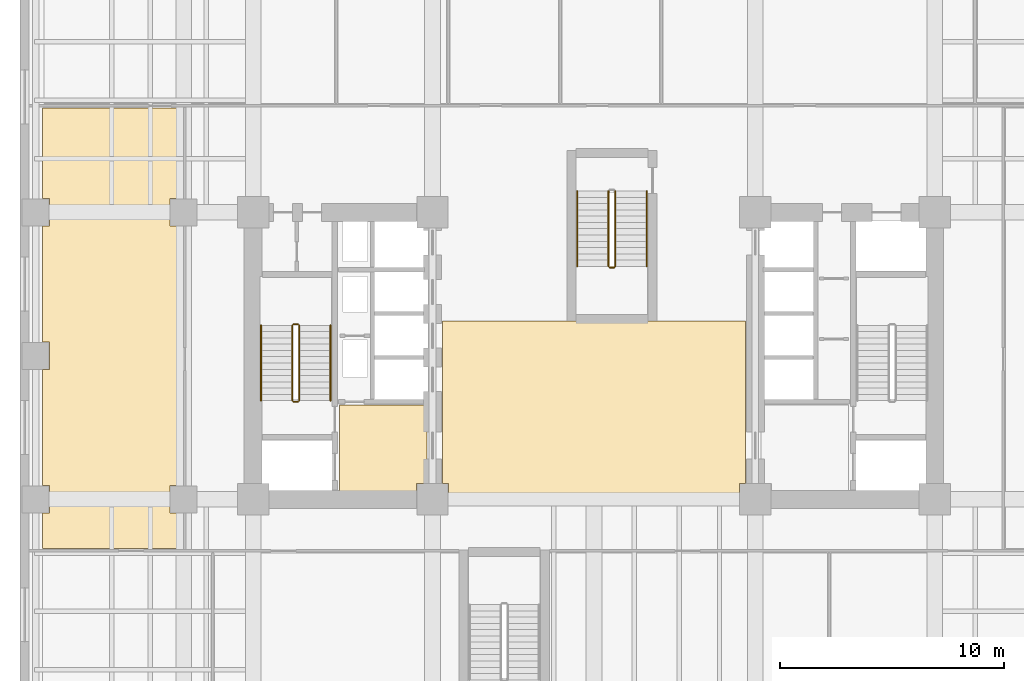
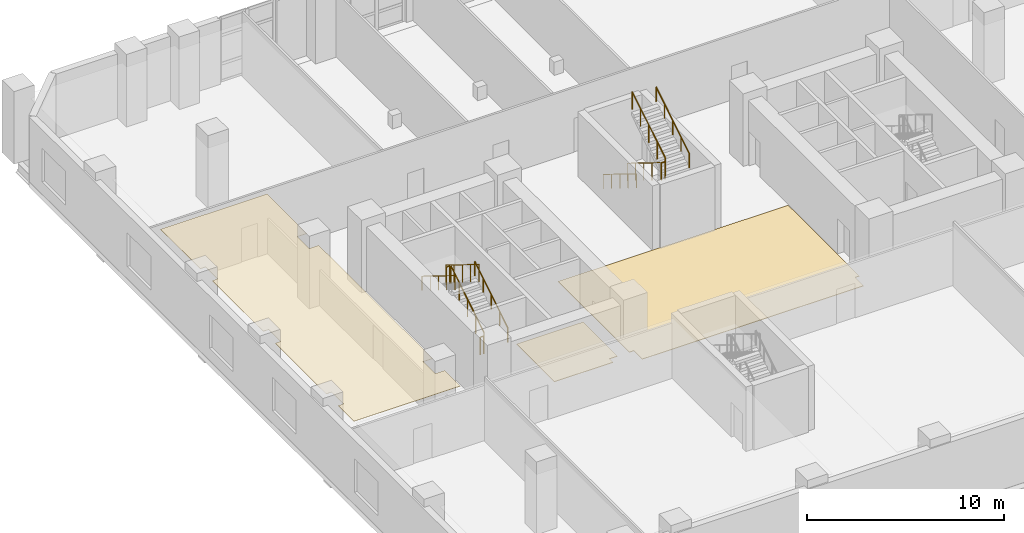
# One storey, part 11 of 15: 11 railings, 3 coverings.
"""IFC4 building model written with IfcOpenShell, lengths in metres."""

from ifc_helpers import new_model, si_unit, direction, frame, origin, origin_2d, place, context, subcontext, project, spatial, polyline, circle, outline, extrude, material, layer, layer_set, type_object, element, save


model = new_model("IFC4")

# Units and contexts
model_context = context("Model", 3, precision=1e-05, world=origin(), true_north=direction((0.0, 1.0)))
body_context = subcontext(model_context, "Body", "Model", "MODEL_VIEW")
ifc_project = project(units=[si_unit("LENGTHUNIT", "METRE"), si_unit("AREAUNIT", "SQUARE_METRE"), si_unit("VOLUMEUNIT", "CUBIC_METRE"), si_unit("PLANEANGLEUNIT", "RADIAN"), si_unit("MASSUNIT", "GRAM", prefix="KILO")], contexts=[model_context])

# Site, building, storey
site_placement = place(None, origin())
site = spatial("IfcSite", under=ifc_project, at=site_placement, CompositionType="ELEMENT")
building_placement = place(site_placement, origin())
building = spatial("IfcBuilding", under=site, at=building_placement, Name="Kranthara Brick Stack", CompositionType="ELEMENT")
storey_placement = place(building_placement, frame((0.0, 0.0, 14.39990234375)))
storey = spatial("IfcBuildingStorey", under=building, at=storey_placement, Name="L03", CompositionType="ELEMENT", Elevation=14.39990234375)

# Coverings
ifc_material_1 = material(Name="Perforated mineral-fibre acoustic ceiling tile", Category="other")
ifc_layer_1 = layer(ifc_material_1, 0.02490234375)
ifc_layer_set_1 = layer_set([ifc_layer_1], Name="Perforated mineral-fibre acoustic ceiling tile")
covering_type_1 = type_object("IfcCoveringType", Name="COV-CEIL-ACOUSTIC", PredefinedType="CEILING", material=ifc_layer_set_1)
covering_1_placement = place(storey_placement, frame((0.0, 0.0, 3.72998046875)))
element("IfcCovering", 1, at=covering_1_placement, inside=storey, type_object=covering_type_1, Name="L03 West Perimeter Office Studio Acoustic Ceiling", PredefinedType="CEILING", context=body_context, shape_type="SweptSolid", body=[
    extrude(outline(polyline([(3.39990234375, 20.18994140625), (3.7099609375, 20.18994140625), (3.7099609375, 21.409912109375), (3.39990234375, 21.409912109375), (3.39990234375, 26.590087890625), (3.7099609375, 26.590087890625), (3.7099609375, 27.81005859375), (3.39990234375, 27.81005859375), (3.39990234375, 32.989990234375), (3.7099609375, 32.989990234375), (3.7099609375, 34.2099609375), (3.39990234375, 34.2099609375), (3.39990234375, 38.25), (9.64990234375, 38.25), (9.64990234375, 34.2099609375), (9.090087890625, 34.2099609375), (9.090087890625, 32.989990234375), (9.64990234375, 32.989990234375), (9.64990234375, 21.409912109375), (9.090087890625, 21.409912109375), (9.090087890625, 20.18994140625), (9.64990234375, 20.18994140625), (9.64990234375, 18.60009765625), (3.39990234375, 18.60009765625), (3.39990234375, 20.18994140625)])), origin(), (0.0, 0.0, 1.0), 0.025146484375),
])
ifc_material_2 = material(Name="Honed terrazzo and porcelain floor finish", Category="stone")
ifc_layer_2 = layer(ifc_material_2, 0.030029296875)
ifc_layer_set_2 = layer_set([ifc_layer_2], Name="Honed terrazzo and porcelain floor finish")
covering_type_2 = type_object("IfcCoveringType", Name="COV-FLOR-STONE", PredefinedType="FLOORING", material=ifc_layer_set_2)
covering_2_placement = place(storey_placement, origin())
element("IfcCovering", 2, at=covering_2_placement, inside=storey, type_object=covering_type_2, Name="L03 Lift Lobby Stone Flooring", PredefinedType="FLOORING", context=body_context, shape_type="SweptSolid", body=[
    extrude(outline(polyline([(16.64990234375, 21.14990234375), (16.64990234375, 25.0), (20.550048828125, 25.0), (20.550048828125, 21.510009765625), (20.090087890625, 21.510009765625), (20.090087890625, 21.14990234375), (16.64990234375, 21.14990234375)])), origin(), (0.0, 0.0, 1.0), 0.030029296875),
])
covering_3_placement = place(storey_placement, origin())
element("IfcCovering", 3, at=covering_3_placement, inside=storey, type_object=covering_type_2, Name="L03 Lift Lobby Stone Flooring", PredefinedType="FLOORING", context=body_context, shape_type="SweptSolid", body=[
    extrude(outline(polyline([(34.75, 21.510009765625), (34.489990234375, 21.510009765625), (34.489990234375, 20.64990234375), (21.510009765625, 20.64990234375), (21.510009765625, 21.510009765625), (21.25, 21.510009765625), (21.25, 28.75), (34.75, 28.75), (34.75, 21.510009765625)])), origin(), (0.0, 0.0, 1.0), 0.030029296875),
])

# Railings
ifc_material_3 = material(Name="Painted galvanized steel stair guardrail", Category="steel")
railing_type_1 = type_object("IfcRailingType", Name="RL-STAIR-GUARD-1100", PredefinedType="GUARDRAIL", material=ifc_material_3)
railing_1_placement = place(storey_placement, frame((14.85009765625, 25.199951171875, 0.173095703125)))
element("IfcRailing", 4, at=railing_1_placement, inside=storey, type_object=railing_type_1, Name="L03 ST01 stair guard 1", PredefinedType="GUARDRAIL", context=body_context, shape_type="SweptSolid", body=[
    extrude(circle(Radius=0.02392578125, at=origin_2d()), frame((0.0, 0.0, 1.076171875), z_axis=(0.0, 0.850623216509, 0.525775754039), x_axis=(-1.0, 0.0, 0.0)), (0.0, 0.0, 1.0), 3.9501953125),
    extrude(circle(Radius=0.02099609375, at=origin_2d()), origin(), (0.0, 0.0, 1.0), 1.052001953125),
    extrude(circle(Radius=0.02099609375, at=origin_2d()), frame((0.0, 0.840087890625, 0.519287109375)), (0.0, 0.0, 1.0), 1.052001953125),
    extrude(circle(Radius=0.02099609375, at=origin_2d()), frame((0.0, 1.68017578125, 1.03857421875)), (0.0, 0.0, 1.0), 1.052001953125),
    extrude(circle(Radius=0.02099609375, at=origin_2d()), frame((0.0, 2.52001953125, 1.5576171875)), (0.0, 0.0, 1.0), 1.052001953125),
    extrude(circle(Radius=0.02099609375, at=origin_2d()), frame((0.0, 3.360107421875, 2.076904296875)), (0.0, 0.0, 1.0), 1.052001953125),
])
railing_2_placement = place(storey_placement, frame((14.800048828125, 28.610107421875, 2.25)))
element("IfcRailing", 5, at=railing_2_placement, inside=storey, type_object=railing_type_1, Name="L03 ST01 stair guard 2", PredefinedType="GUARDRAIL", context=body_context, shape_type="SweptSolid", body=[
    extrude(circle(Radius=0.02392578125, at=origin_2d()), frame((0.0, 0.0, 1.076171875), z_axis=(-1.0, 0.0, 0.0), x_axis=(0.0, -1.0, 0.0)), (0.0, 0.0, 1.0), 0.199951171875),
    extrude(circle(Radius=0.02099609375, at=origin_2d()), origin(), (0.0, 0.0, 1.0), 1.052001953125),
    extrude(circle(Radius=0.02099609375, at=origin_2d()), frame((-0.199951171875, 0.0, 0.0)), (0.0, 0.0, 1.0), 1.052001953125),
])
railing_3_placement = place(storey_placement, frame((14.550048828125, 28.56005859375, 2.423095703125)))
element("IfcRailing", 6, at=railing_3_placement, inside=storey, type_object=railing_type_1, Name="L03 ST01 stair guard 3", PredefinedType="GUARDRAIL", context=body_context, shape_type="SweptSolid", body=[
    extrude(circle(Radius=0.02392578125, at=origin_2d()), frame((0.0, 0.0, 1.076171875), z_axis=(0.0, -0.850623216509, 0.525775754039), x_axis=(1.0, 0.0, 0.0)), (0.0, 0.0, 1.0), 3.9501953125),
    extrude(circle(Radius=0.02099609375, at=origin_2d()), origin(), (0.0, 0.0, 1.0), 1.052001953125),
    extrude(circle(Radius=0.02099609375, at=origin_2d()), frame((0.0, -0.840087890625, 0.519287109375)), (0.0, 0.0, 1.0), 1.052001953125),
    extrude(circle(Radius=0.02099609375, at=origin_2d()), frame((0.0, -1.68017578125, 1.03857421875)), (0.0, 0.0, 1.0), 1.052001953125),
    extrude(circle(Radius=0.02099609375, at=origin_2d()), frame((0.0, -2.52001953125, 1.5576171875)), (0.0, 0.0, 1.0), 1.052001953125),
    extrude(circle(Radius=0.02099609375, at=origin_2d()), frame((0.0, -3.360107421875, 2.076904296875)), (0.0, 0.0, 1.0), 1.052001953125),
])
railing_4_placement = place(storey_placement, frame((14.800048828125, 25.14990234375, 0.0)))
element("IfcRailing", 7, at=railing_4_placement, inside=storey, type_object=railing_type_1, Name="L03 ST01 stair guard 4", PredefinedType="GUARDRAIL", context=body_context, shape_type="SweptSolid", body=[
    extrude(circle(Radius=0.02392578125, at=origin_2d()), frame((0.0, 0.0, 1.076171875), z_axis=(-1.0, 0.0, 0.0), x_axis=(0.0, -1.0, 0.0)), (0.0, 0.0, 1.0), 0.199951171875),
    extrude(circle(Radius=0.02099609375, at=origin_2d()), origin(), (0.0, 0.0, 1.0), 1.052001953125),
    extrude(circle(Radius=0.02099609375, at=origin_2d()), frame((-0.199951171875, 0.0, 0.0)), (0.0, 0.0, 1.0), 1.052001953125),
])
railing_5_placement = place(storey_placement, frame((28.64990234375, 34.550048828125, 0.173095703125)))
element("IfcRailing", 8, at=railing_5_placement, inside=storey, type_object=railing_type_1, Name="L03 ST04 stair guard 1", PredefinedType="GUARDRAIL", context=body_context, shape_type="SweptSolid", body=[
    extrude(circle(Radius=0.02392578125, at=origin_2d()), frame((0.0, 0.0, 1.076171875), z_axis=(0.0, -0.850623216509, 0.525775754039), x_axis=(1.0, 0.0, 0.0)), (0.0, 0.0, 1.0), 3.9501953125),
    extrude(circle(Radius=0.02099609375, at=origin_2d()), origin(), (0.0, 0.0, 1.0), 1.052001953125),
    extrude(circle(Radius=0.02099609375, at=origin_2d()), frame((0.0, -0.840087890625, 0.519287109375)), (0.0, 0.0, 1.0), 1.052001953125),
    extrude(circle(Radius=0.02099609375, at=origin_2d()), frame((0.0, -1.68017578125, 1.03857421875)), (0.0, 0.0, 1.0), 1.052001953125),
    extrude(circle(Radius=0.02099609375, at=origin_2d()), frame((0.0, -2.52001953125, 1.5576171875)), (0.0, 0.0, 1.0), 1.052001953125),
    extrude(circle(Radius=0.02099609375, at=origin_2d()), frame((0.0, -3.360107421875, 2.076904296875)), (0.0, 0.0, 1.0), 1.052001953125),
])
railing_6_placement = place(storey_placement, frame((28.699951171875, 31.139892578125, 2.25)))
element("IfcRailing", 9, at=railing_6_placement, inside=storey, type_object=railing_type_1, Name="L03 ST04 stair guard 2", PredefinedType="GUARDRAIL", context=body_context, shape_type="SweptSolid", body=[
    extrude(circle(Radius=0.02392578125, at=origin_2d()), frame((0.0, 0.0, 1.076171875), z_axis=(1.0, 0.0, 0.0), x_axis=(0.0, 1.0, 0.0)), (0.0, 0.0, 1.0), 0.199951171875),
    extrude(circle(Radius=0.02099609375, at=origin_2d()), origin(), (0.0, 0.0, 1.0), 1.052001953125),
    extrude(circle(Radius=0.02099609375, at=origin_2d()), frame((0.199951171875, 0.0, 0.0)), (0.0, 0.0, 1.0), 1.052001953125),
])
railing_7_placement = place(storey_placement, frame((28.949951171875, 31.18994140625, 2.423095703125)))
element("IfcRailing", 10, at=railing_7_placement, inside=storey, type_object=railing_type_1, Name="L03 ST04 stair guard 3", PredefinedType="GUARDRAIL", context=body_context, shape_type="SweptSolid", body=[
    extrude(circle(Radius=0.02392578125, at=origin_2d()), frame((0.0, 0.0, 1.076171875), z_axis=(0.0, 0.850623216509, 0.525775754039), x_axis=(-1.0, 0.0, 0.0)), (0.0, 0.0, 1.0), 3.9501953125),
    extrude(circle(Radius=0.02099609375, at=origin_2d()), origin(), (0.0, 0.0, 1.0), 1.052001953125),
    extrude(circle(Radius=0.02099609375, at=origin_2d()), frame((0.0, 0.840087890625, 0.519287109375)), (0.0, 0.0, 1.0), 1.052001953125),
    extrude(circle(Radius=0.02099609375, at=origin_2d()), frame((0.0, 1.68017578125, 1.03857421875)), (0.0, 0.0, 1.0), 1.052001953125),
    extrude(circle(Radius=0.02099609375, at=origin_2d()), frame((0.0, 2.52001953125, 1.5576171875)), (0.0, 0.0, 1.0), 1.052001953125),
    extrude(circle(Radius=0.02099609375, at=origin_2d()), frame((0.0, 3.360107421875, 2.076904296875)), (0.0, 0.0, 1.0), 1.052001953125),
])
ifc_material_4 = material(Name="Brushed stainless steel tubular handrail", Category="steel")
railing_type_2 = type_object("IfcRailingType", Name="RL-STAIR-HAND-900", PredefinedType="HANDRAIL", material=ifc_material_4)
railing_8_placement = place(storey_placement, frame((16.25, 25.199951171875, 0.173095703125)))
element("IfcRailing", 11, at=railing_8_placement, inside=storey, type_object=railing_type_2, Name="L03 ST01 stair handrail 1", PredefinedType="HANDRAIL", context=body_context, shape_type="SweptSolid", body=[
    extrude(circle(Radius=0.02392578125, at=origin_2d()), frame((0.0, 0.0, 0.8759765625), z_axis=(0.0, 0.850623216509, 0.525775754039), x_axis=(-1.0, 0.0, 0.0)), (0.0, 0.0, 1.0), 3.9501953125),
    extrude(circle(Radius=0.02099609375, at=origin_2d()), origin(), (0.0, 0.0, 1.0), 0.851806640625),
    extrude(circle(Radius=0.02099609375, at=origin_2d()), frame((0.0, 0.840087890625, 0.519287109375)), (0.0, 0.0, 1.0), 0.851806640625),
    extrude(circle(Radius=0.02099609375, at=origin_2d()), frame((0.0, 1.68017578125, 1.03857421875)), (0.0, 0.0, 1.0), 0.851806640625),
    extrude(circle(Radius=0.02099609375, at=origin_2d()), frame((0.0, 2.52001953125, 1.5576171875)), (0.0, 0.0, 1.0), 0.851806640625),
    extrude(circle(Radius=0.02099609375, at=origin_2d()), frame((0.0, 3.360107421875, 2.076904296875)), (0.0, 0.0, 1.0), 0.851806640625),
])
for number, where, name in (
    (12, (13.14990234375, 28.56005859375, 2.423095703125), "L03 ST01 stair handrail 2"),
    (13, (27.25, 34.550048828125, 0.173095703125), "L03 ST04 stair handrail 1"),
):
    element("IfcRailing", number, at=place(storey_placement, frame(where)), inside=storey, type_object=railing_type_2, Name=name, PredefinedType="HANDRAIL", context=body_context, shape_type="SweptSolid", body=[
        extrude(circle(Radius=0.02392578125, at=origin_2d()), frame((0.0, 0.0, 0.8759765625), z_axis=(0.0, -0.850623216509, 0.525775754039), x_axis=(1.0, 0.0, 0.0)), (0.0, 0.0, 1.0), 3.9501953125),
        extrude(circle(Radius=0.02099609375, at=origin_2d()), origin(), (0.0, 0.0, 1.0), 0.851806640625),
        extrude(circle(Radius=0.02099609375, at=origin_2d()), frame((0.0, -0.840087890625, 0.519287109375)), (0.0, 0.0, 1.0), 0.851806640625),
        extrude(circle(Radius=0.02099609375, at=origin_2d()), frame((0.0, -1.68017578125, 1.03857421875)), (0.0, 0.0, 1.0), 0.851806640625),
        extrude(circle(Radius=0.02099609375, at=origin_2d()), frame((0.0, -2.52001953125, 1.5576171875)), (0.0, 0.0, 1.0), 0.851806640625),
        extrude(circle(Radius=0.02099609375, at=origin_2d()), frame((0.0, -3.360107421875, 2.076904296875)), (0.0, 0.0, 1.0), 0.851806640625),
    ])
railing_9_placement = place(storey_placement, frame((30.35009765625, 31.18994140625, 2.423095703125)))
element("IfcRailing", 14, at=railing_9_placement, inside=storey, type_object=railing_type_2, Name="L03 ST04 stair handrail 2", PredefinedType="HANDRAIL", context=body_context, shape_type="SweptSolid", body=[
    extrude(circle(Radius=0.02392578125, at=origin_2d()), frame((0.0, 0.0, 0.8759765625), z_axis=(0.0, 0.850623216509, 0.525775754039), x_axis=(-1.0, 0.0, 0.0)), (0.0, 0.0, 1.0), 3.9501953125),
    extrude(circle(Radius=0.02099609375, at=origin_2d()), origin(), (0.0, 0.0, 1.0), 0.851806640625),
    extrude(circle(Radius=0.02099609375, at=origin_2d()), frame((0.0, 0.840087890625, 0.519287109375)), (0.0, 0.0, 1.0), 0.851806640625),
    extrude(circle(Radius=0.02099609375, at=origin_2d()), frame((0.0, 1.68017578125, 1.03857421875)), (0.0, 0.0, 1.0), 0.851806640625),
    extrude(circle(Radius=0.02099609375, at=origin_2d()), frame((0.0, 2.52001953125, 1.5576171875)), (0.0, 0.0, 1.0), 0.851806640625),
    extrude(circle(Radius=0.02099609375, at=origin_2d()), frame((0.0, 3.360107421875, 2.076904296875)), (0.0, 0.0, 1.0), 0.851806640625),
])

save(model, "model.ifc")
